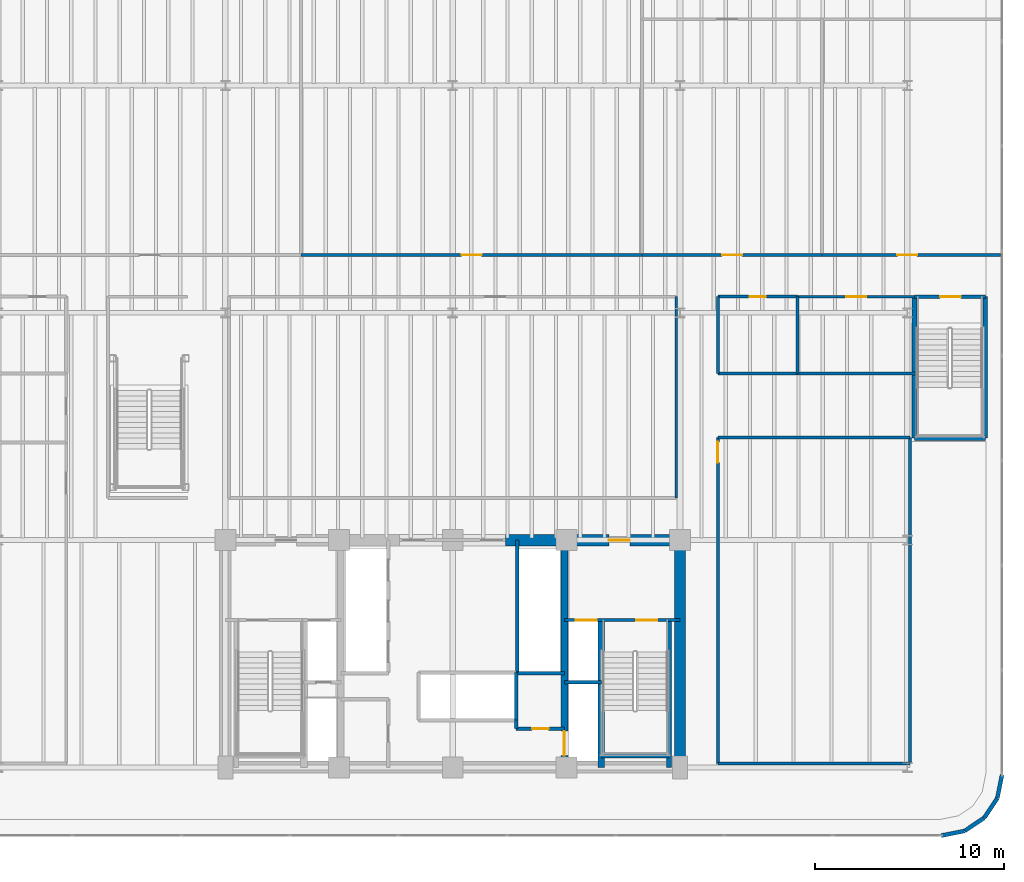
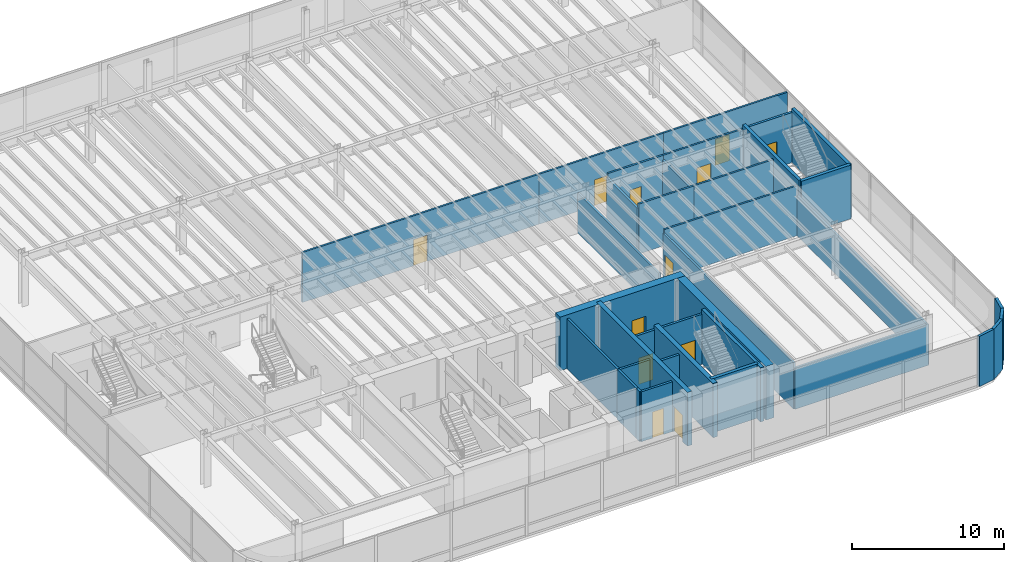
# One storey, part 14 of 19: 35 walls, 12 doors, 12 openings.
"""IFC4 building model written with IfcOpenShell, lengths in metres."""

from ifc_helpers import new_model, si_unit, direction, frame, frame_2d, origin, origin_2d, place, context, subcontext, project, spatial, rectangle, extrude, source, transform, mapped, material, layer, layer_set, type_object, element, fill, save


model = new_model("IFC4")

# Units and contexts
model_context = context("Model", 3, precision=1e-05, world=origin(), true_north=direction((0.0, 1.0)))
body_context = subcontext(model_context, "Body", "Model", "MODEL_VIEW")
ifc_project = project(units=[si_unit("LENGTHUNIT", "METRE"), si_unit("AREAUNIT", "SQUARE_METRE"), si_unit("VOLUMEUNIT", "CUBIC_METRE"), si_unit("PLANEANGLEUNIT", "RADIAN"), si_unit("MASSUNIT", "GRAM", prefix="KILO")], contexts=[model_context])

# Site, building, storey
site_placement = place(None, origin())
site = spatial("IfcSite", under=ifc_project, at=site_placement, CompositionType="ELEMENT")
building_placement = place(site_placement, origin())
building = spatial("IfcBuilding", under=site, at=building_placement, Name="Brelvock Crest Care Tower", CompositionType="ELEMENT")
storey_placement = place(building_placement, frame((0.0, 0.0, 14.0400390625)))
storey = spatial("IfcBuildingStorey", under=building, at=storey_placement, Name="L03", CompositionType="ELEMENT", Elevation=14.0400390625)

# Wall
ifc_material_1 = material(Name="Concrete S80 (80 MPa)", Category="concrete")
ifc_layer_1 = layer(ifc_material_1, 0.60009765625, Name="WL-CS1")
ifc_layer_set_1 = layer_set([ifc_layer_1], Name="Concrete S80 (80 MPa)")
wall_type_1 = type_object("IfcWallType", Name="WL-CS1", PredefinedType="SHEAR", material=ifc_layer_set_1)
wall_1_placement = place(storey_placement, frame((48.0, 18.0, 0.0), z_axis=(0.0, 0.0, 1.0), x_axis=(0.0, -1.0, 0.0)))
element("IfcWall", 1, at=wall_1_placement, inside=storey, type_object=wall_type_1, Name="L03 Core East Shear Wall", PredefinedType="SHEAR", context=body_context, shape_type="SweptSolid", body=[
    extrude(rectangle(XDim=12.0, YDim=0.60009765625, at=frame_2d((6.0, 0.0))), origin(), (0.0, 0.0, 1.0), 4.320068359375),
])

# Wall, opening, door
wall_2_placement = place(storey_placement, frame((38.800048828125, 18.0, 0.0), z_axis=(0.0, 0.0, 1.0), x_axis=(1.0, 0.0, 0.0)))
wall_2 = element("IfcWall", 2, at=wall_2_placement, inside=storey, type_object=wall_type_1, Name="L03 Core North-East Shear Wall", PredefinedType="SHEAR", context=body_context, shape_type="SweptSolid", body=[
    extrude(rectangle(XDim=9.5, YDim=0.60009765625, at=frame_2d((4.75, 0.0))), origin(), (0.0, 0.0, 1.0), 4.320068359375),
])
opening_1_placement = place(wall_2_placement, frame((5.449951171875, 0.0, 0.0)))
opening_1 = element("IfcOpeningElement", 3, at=opening_1_placement, cuts=wall_2, Name="Opening FD-1", PredefinedType="OPENING", context=body_context, shape_type="SweptSolid", body=[
    extrude(rectangle(XDim=1.10009765625, YDim=2.10009765625, at=origin_2d()), frame((0.550048828125, 0.31005859375, 1.050048828125), z_axis=(0.0, -1.0, 0.0), x_axis=(1.0, 0.0, 0.0)), (0.0, 0.0, 1.0), 0.6201171875),
])
ifc_material_2 = material(Name="Steel Grade 350", Category="steel")
door_type_1 = type_object("IfcDoorType", Name="DR-FFL1", OperationType="NOTDEFINED", PredefinedType="DOOR", material=ifc_material_2)
shared_shape_1 = source(origin(), body_context, "Body", "SweptSolid", [
    extrude(rectangle(XDim=1.10009765625, YDim=2.10009765625, at=origin_2d()), frame((0.550048828125, 0.02490234375, 1.050048828125), z_axis=(0.0, -1.0, 0.0), x_axis=(1.0, 0.0, 0.0)), (0.0, 0.0, 1.0), 0.050048828125),
])
door_1_placement = place(opening_1_placement, origin())
door_1 = element("IfcDoor", 4, at=door_1_placement, inside=storey, type_object=door_type_1, Name="L03 Firefighting Lobby FFL-2 Exit Door", OperationType="SINGLE_SWING_RIGHT", OverallHeight=2.10009765625, OverallWidth=1.10009765625, PredefinedType="DOOR", context=body_context, shape_type="MappedRepresentation", body=[
    mapped(shared_shape_1, transform((0.0, 0.0, 0.0), x_axis=(1.0, 0.0, 0.0), y_axis=(0.0, 1.0, 0.0), z_axis=(0.0, 0.0, 1.0), scale=1.0)),
])
fill(opening_1, door_1)

ifc_layer_2 = layer(ifc_material_1, 0.35009765625, Name="WL-CS5")
ifc_layer_set_2 = layer_set([ifc_layer_2], Name="Concrete S80 (80 MPa)")
wall_type_2 = type_object("IfcWallType", Name="WL-CS5", PredefinedType="SHEAR", material=ifc_layer_set_2)
wall_3_placement = place(storey_placement, frame((41.89990234375, 18.0, 0.0), z_axis=(0.0, 0.0, 1.0), x_axis=(0.0, -1.0, 0.0)))
wall_3 = element("IfcWall", 5, at=wall_3_placement, inside=storey, type_object=wall_type_2, Name="L03 Core Internal Web Wall East", PredefinedType="SHEAR", context=body_context, shape_type="SweptSolid", body=[
    extrude(rectangle(XDim=12.0, YDim=0.35009765625, at=frame_2d((6.0, 0.0))), origin(), (0.0, 0.0, 1.0), 4.320068359375),
])
opening_2_placement = place(wall_3_placement, frame((10.080078125, 0.0, 0.0)))
opening_2 = element("IfcOpeningElement", 6, at=opening_2_placement, cuts=wall_3, Name="Opening LD-S", PredefinedType="OPENING", context=body_context, shape_type="SweptSolid", body=[
    extrude(rectangle(XDim=1.300048828125, YDim=2.10009765625, at=origin_2d()), frame((0.64990234375, 0.18505859375, 1.050048828125), z_axis=(0.0, -1.0, 0.0), x_axis=(1.0, 0.0, 0.0)), (0.0, 0.0, 1.0), 0.3701171875),
])
door_type_2 = type_object("IfcDoorType", Name="DR-LDS1", OperationType="NOTDEFINED", PredefinedType="DOOR", material=ifc_material_2)
shared_shape_2 = source(origin(), body_context, "Body", "SweptSolid", [
    extrude(rectangle(XDim=1.300048828125, YDim=2.10009765625, at=origin_2d()), frame((0.64990234375, 0.02490234375, 1.050048828125), z_axis=(0.0, -1.0, 0.0), x_axis=(1.0, 0.0, 0.0)), (0.0, 0.0, 1.0), 0.050048828125),
])
door_2_placement = place(opening_2_placement, origin())
door_2 = element("IfcDoor", 7, at=door_2_placement, inside=storey, type_object=door_type_2, Name="L03 Clinical Bed Lift SL-1 Landing Door", OperationType="SLIDING_TO_LEFT", OverallHeight=2.10009765625, OverallWidth=1.300048828125, PredefinedType="DOOR", context=body_context, shape_type="MappedRepresentation", body=[
    mapped(shared_shape_2, transform((0.0, 0.0, 0.0), x_axis=(1.0, 0.0, 0.0), y_axis=(0.0, 1.0, 0.0), z_axis=(0.0, 0.0, 1.0), scale=1.0)),
])
fill(opening_2, door_2)

# Walls
wall_4_placement = place(storey_placement, frame((43.85009765625, 6.0, 0.0), z_axis=(0.0, 0.0, 1.0), x_axis=(0.0, 1.0, 0.0)))
element("IfcWall", 8, at=wall_4_placement, inside=storey, type_object=wall_type_2, Name="L03 Core Stair ST-2 West Shear Wall", PredefinedType="SHEAR", context=body_context, shape_type="SweptSolid", body=[
    extrude(rectangle(XDim=7.780029296875, YDim=0.35009765625, at=frame_2d((3.89013671875, 0.0))), origin(), (0.0, 0.0, 1.0), 4.35986328125),
])
ifc_layer_3 = layer(ifc_material_1, 0.25, Name="WL-CS6")
ifc_layer_set_3 = layer_set([ifc_layer_3], Name="Concrete S80 (80 MPa)")
wall_type_3 = type_object("IfcWallType", Name="WL-CS6", PredefinedType="SHEAR", material=ifc_layer_set_3)
wall_5_placement = place(storey_placement, frame((60.3798828125, 23.3798828125, 0.0), z_axis=(0.0, 0.0, 1.0), x_axis=(1.0, 0.0, 0.0)))
element("IfcWall", 9, at=wall_5_placement, inside=storey, type_object=wall_type_3, Name="L03 Podium Stair ST-4 South Shear Wall", PredefinedType="SHEAR", context=body_context, shape_type="SweptSolid", body=[
    extrude(rectangle(XDim=3.740234375, YDim=0.25, at=frame_2d((1.8701171875, 0.0))), origin(), (0.0, 0.0, 1.0), 4.320068359375),
])
for number, where, z_axis, x_axis, name in (
    (10, (60.3798828125, 23.3798828125, 0.0), (0.0, 0.0, 1.0), (0.0, 1.0, 0.0), "L03 Podium Stair ST-4 West Shear Wall"),
    (11, (64.1201171875, 23.3798828125, 0.0), (0.0, 0.0, 1.0), (0.0, 1.0, 0.0), "L03 Podium Stair ST-4 East Shear Wall"),
):
    element("IfcWall", number, at=place(storey_placement, frame(where, z_axis=z_axis, x_axis=x_axis)), inside=storey, type_object=wall_type_3, Name=name, PredefinedType="SHEAR", context=body_context, shape_type="SweptSolid", body=[
        extrude(rectangle(XDim=7.47021484375, YDim=0.25, at=frame_2d((3.735107421875, 0.0))), origin(), (0.0, 0.0, 1.0), 4.320068359375),
    ])
wall_6_placement = place(storey_placement, frame((47.419921875, 6.0, 0.0), z_axis=(0.0, 0.0, 1.0), x_axis=(0.0, 1.0, 0.0)))
element("IfcWall", 12, at=wall_6_placement, inside=storey, type_object=wall_type_3, Name="L03 Core Stair ST-2 East Shear Wall", PredefinedType="SHEAR", context=body_context, shape_type="SweptSolid", body=[
    extrude(rectangle(XDim=7.780029296875, YDim=0.25, at=frame_2d((3.89013671875, 0.0))), origin(), (0.0, 0.0, 1.0), 4.35986328125),
])
wall_7_placement = place(storey_placement, frame((43.85009765625, 6.6201171875, 0.0), z_axis=(0.0, 0.0, 1.0), x_axis=(1.0, 0.0, 0.0)))
element("IfcWall", 13, at=wall_7_placement, inside=storey, type_object=wall_type_3, Name="L03 Core Stair ST-2 South Shear Wall", PredefinedType="SHEAR", context=body_context, shape_type="SweptSolid", body=[
    extrude(rectangle(XDim=3.56982421875, YDim=0.25, at=frame_2d((1.784912109375, 0.0))), origin(), (0.0, 0.0, 1.0), 4.35986328125),
])
ifc_material_3 = material(Name="Precast concrete N40 (40 MPa)", Category="concrete")
ifc_layer_4 = layer(ifc_material_3, 0.215087890625, Name="WL-EX2")
ifc_layer_set_4 = layer_set([ifc_layer_4], Name="Precast concrete N40 (40 MPa)")
wall_type_4 = type_object("IfcWallType", Name="WL-EX2", PredefinedType="SOLIDWALL", material=ifc_layer_set_4)
for number, where, z_axis, x_axis, name in (
    (14, (65.0, 5.60009765625, 0.0), (0.0, 0.0, 1.0), (-0.195138390419, -0.980775717779, 0.0), "L03 Rounded Corner Wall 15"),
    (15, (64.75634765625, 4.37548828125, 0.0), (0.0, 0.0, 1.0), (-0.555557312883, -0.831478245117, 0.0), "L03 Rounded Corner Wall 16"),
    (16, (64.062744140625, 3.33740234375, 0.0), (0.0, 0.0, 1.0), (-0.831387912822, -0.555692485475, 0.0), "L03 Rounded Corner Wall 17"),
    (17, (63.024658203125, 2.6435546875, 0.0), (0.0, 0.0, 1.0), (-0.980775717779, -0.195138390419, 0.0), "L03 Rounded Corner Wall 18"),
):
    element("IfcWall", number, at=place(storey_placement, frame(where, z_axis=z_axis, x_axis=x_axis)), inside=storey, type_object=wall_type_4, Name=name, PredefinedType="SOLIDWALL", context=body_context, shape_type="SweptSolid", body=[
        extrude(rectangle(XDim=1.24853515625, YDim=0.215087890625, at=frame_2d((0.624267578125, 0.0))), origin(), (0.0, 0.0, 1.0), 4.0400390625),
    ])
ifc_material_4 = material(Name="Masonry Blockwork Acoustic Partition", Category="masonry")
ifc_layer_5 = layer(ifc_material_4, 0.14990234375, Name="WL-INT1")
ifc_layer_set_5 = layer_set([ifc_layer_5], Name="Masonry Blockwork Acoustic Partition")
wall_type_5 = type_object("IfcWallType", Name="WL-INT1", PredefinedType="PARTITIONING", material=ifc_layer_set_5)
wall_8_placement = place(storey_placement, frame((50.0, 6.199951171875, 0.0), z_axis=(0.0, 0.0, 1.0), x_axis=(1.0, 0.0, 0.0)))
element("IfcWall", 18, at=wall_8_placement, inside=storey, type_object=wall_type_5, Name="L03 Interior Wall WL-BX-L03-KIT-S", PredefinedType="PARTITIONING", context=body_context, shape_type="SweptSolid", body=[
    extrude(rectangle(XDim=10.14990234375, YDim=0.14990234375, at=frame_2d((5.074951171875, 0.0))), origin(), (0.0, 0.0, 1.0), 3.324951171875),
])
wall_9_placement = place(storey_placement, frame((50.0, 23.409912109375, 0.0), z_axis=(0.0, 0.0, 1.0), x_axis=(1.0, 0.0, 0.0)))
element("IfcWall", 19, at=wall_9_placement, inside=storey, type_object=wall_type_5, Name="L03 Interior Wall WL-BX-L03-KIT-N", PredefinedType="PARTITIONING", context=body_context, shape_type="SweptSolid", body=[
    extrude(rectangle(XDim=10.14990234375, YDim=0.14990234375, at=frame_2d((5.074951171875, 0.0))), origin(), (0.0, 0.0, 1.0), 4.010009765625),
])
wall_10_placement = place(storey_placement, frame((54.199951171875, 26.800048828125, 0.0), z_axis=(0.0, 0.0, 1.0), x_axis=(1.0, 0.0, 0.0)))
element("IfcWall", 20, at=wall_10_placement, inside=storey, type_object=wall_type_5, Name="L03 Interior Wall WL-BX-L03-OFFW-S", PredefinedType="PARTITIONING", context=body_context, shape_type="SweptSolid", body=[
    extrude(rectangle(XDim=6.25, YDim=0.14990234375, at=frame_2d((3.125, 0.0))), origin(), (0.0, 0.0, 1.0), 4.010009765625),
])

# Wall, opening, door
wall_11_placement = place(storey_placement, frame((54.199951171875, 30.85009765625, 0.0), z_axis=(0.0, 0.0, 1.0), x_axis=(1.0, 0.0, 0.0)))
wall_11 = element("IfcWall", 21, at=wall_11_placement, inside=storey, type_object=wall_type_5, Name="L03 Interior Wall WL-RM-L03-OFFW", PredefinedType="PARTITIONING", context=body_context, shape_type="SweptSolid", body=[
    extrude(rectangle(XDim=6.25, YDim=0.14990234375, at=frame_2d((3.125, 0.0))), origin(), (0.0, 0.0, 1.0), 4.010009765625),
])
opening_3_placement = place(wall_11_placement, frame((2.574951171875, 0.0, 0.0)))
opening_3 = element("IfcOpeningElement", 22, at=opening_3_placement, cuts=wall_11, Name="Opening CLD-1", PredefinedType="OPENING", context=body_context, shape_type="SweptSolid", body=[
    extrude(rectangle(XDim=1.050048828125, YDim=2.10009765625, at=origin_2d()), frame((0.52490234375, 0.0849609375, 1.050048828125), z_axis=(0.0, -1.0, 0.0), x_axis=(1.0, 0.0, 0.0)), (0.0, 0.0, 1.0), 0.169921875),
])
ifc_material_5 = material(Name="Engineered Hardwood Timber", Category="wood")
door_type_3 = type_object("IfcDoorType", Name="DR-CLN1", OperationType="NOTDEFINED", PredefinedType="DOOR", material=ifc_material_5)
shared_shape_3 = source(origin(), body_context, "Body", "SweptSolid", [
    extrude(rectangle(XDim=1.050048828125, YDim=2.10009765625, at=origin_2d()), frame((0.52490234375, 0.02490234375, 1.050048828125), z_axis=(0.0, -1.0, 0.0), x_axis=(1.0, 0.0, 0.0)), (0.0, 0.0, 1.0), 0.050048828125),
])
door_3_placement = place(opening_3_placement, origin())
door_3 = element("IfcDoor", 23, at=door_3_placement, inside=storey, type_object=door_type_3, Name="L03 Hydrotherapy Therapist Office Door OFFW", OperationType="SINGLE_SWING_LEFT", OverallHeight=2.10009765625, OverallWidth=1.050048828125, PredefinedType="DOOR", context=body_context, shape_type="MappedRepresentation", body=[
    mapped(shared_shape_3, transform((0.0, 0.0, 0.0), x_axis=(1.0, 0.0, 0.0), y_axis=(0.0, 1.0, 0.0), z_axis=(0.0, 0.0, 1.0), scale=1.0)),
])
fill(opening_3, door_3)

wall_12_placement = place(storey_placement, frame((28.0, 33.050048828125, 0.0), z_axis=(0.0, 0.0, 1.0), x_axis=(1.0, 0.0, 0.0)))
wall_12 = element("IfcWall", 24, at=wall_12_placement, inside=storey, type_object=wall_type_5, Name="L03 Interior Wall WL-RM-L03-GYM", PredefinedType="PARTITIONING", context=body_context, shape_type="SweptSolid", body=[
    extrude(rectangle(XDim=18.0, YDim=0.14990234375, at=frame_2d((9.0, 0.0))), origin(), (0.0, 0.0, 1.0), 4.010009765625),
])
opening_4_placement = place(wall_12_placement, frame((8.47509765625, 0.0, 0.0)))
opening_4 = element("IfcOpeningElement", 25, at=opening_4_placement, cuts=wall_12, Name="Opening CLD-1", PredefinedType="OPENING", context=body_context, shape_type="SweptSolid", body=[
    extrude(rectangle(XDim=1.050048828125, YDim=2.10009765625, at=origin_2d()), frame((0.52490234375, 0.0849609375, 1.050048828125), z_axis=(0.0, -1.0, 0.0), x_axis=(1.0, 0.0, 0.0)), (0.0, 0.0, 1.0), 0.169921875),
])
door_4_placement = place(opening_4_placement, origin())
door_4 = element("IfcDoor", 26, at=door_4_placement, inside=storey, type_object=door_type_3, Name="L03 Gait and Balance Rehab Gym Door GYM", OperationType="SINGLE_SWING_LEFT", OverallHeight=2.10009765625, OverallWidth=1.050048828125, PredefinedType="DOOR", context=body_context, shape_type="MappedRepresentation", body=[
    mapped(shared_shape_3, transform((0.0, 0.0, 0.0), x_axis=(1.0, 0.0, 0.0), y_axis=(0.0, 1.0, 0.0), z_axis=(0.0, 0.0, 1.0), scale=1.0)),
])
fill(opening_4, door_4)

wall_13_placement = place(storey_placement, frame((46.0, 33.050048828125, 0.0), z_axis=(0.0, 0.0, 1.0), x_axis=(1.0, 0.0, 0.0)))
wall_13 = element("IfcWall", 27, at=wall_13_placement, inside=storey, type_object=wall_type_5, Name="L03 Interior Wall WL-RM-L03-OCC1", PredefinedType="PARTITIONING", context=body_context, shape_type="SweptSolid", body=[
    extrude(rectangle(XDim=9.5, YDim=0.14990234375, at=frame_2d((4.75, 0.0))), origin(), (0.0, 0.0, 1.0), 4.010009765625),
])
opening_5_placement = place(wall_13_placement, frame((4.22509765625, 0.0, 0.0)))
opening_5 = element("IfcOpeningElement", 28, at=opening_5_placement, cuts=wall_13, Name="Opening CLD-1", PredefinedType="OPENING", context=body_context, shape_type="SweptSolid", body=[
    extrude(rectangle(XDim=1.050048828125, YDim=2.10009765625, at=origin_2d()), frame((0.52490234375, 0.0849609375, 1.050048828125), z_axis=(0.0, -1.0, 0.0), x_axis=(1.0, 0.0, 0.0)), (0.0, 0.0, 1.0), 0.169921875),
])
door_5_placement = place(opening_5_placement, origin())
door_5 = element("IfcDoor", 29, at=door_5_placement, inside=storey, type_object=door_type_3, Name="L03 Occupational Living Lab South Door OCC1", OperationType="SINGLE_SWING_LEFT", OverallHeight=2.10009765625, OverallWidth=1.050048828125, PredefinedType="DOOR", context=body_context, shape_type="MappedRepresentation", body=[
    mapped(shared_shape_3, transform((0.0, 0.0, 0.0), x_axis=(1.0, 0.0, 0.0), y_axis=(0.0, 1.0, 0.0), z_axis=(0.0, 0.0, 1.0), scale=1.0)),
])
fill(opening_5, door_5)

wall_14_placement = place(storey_placement, frame((55.5, 33.050048828125, 0.0), z_axis=(0.0, 0.0, 1.0), x_axis=(1.0, 0.0, 0.0)))
wall_14 = element("IfcWall", 30, at=wall_14_placement, inside=storey, type_object=wall_type_5, Name="L03 Interior Wall WL-RM-L03-OCC2", PredefinedType="PARTITIONING", context=body_context, shape_type="SweptSolid", body=[
    extrude(rectangle(XDim=9.419921875, YDim=0.14990234375, at=frame_2d((4.7099609375, 0.0))), origin(), (0.0, 0.0, 1.0), 4.010009765625),
])
opening_6_placement = place(wall_14_placement, frame((3.97509765625, 0.0, 0.0)))
opening_6 = element("IfcOpeningElement", 31, at=opening_6_placement, cuts=wall_14, Name="Opening CLD-1", PredefinedType="OPENING", context=body_context, shape_type="SweptSolid", body=[
    extrude(rectangle(XDim=1.050048828125, YDim=2.10009765625, at=origin_2d()), frame((0.52490234375, 0.0849609375, 1.050048828125), z_axis=(0.0, -1.0, 0.0), x_axis=(1.0, 0.0, 0.0)), (0.0, 0.0, 1.0), 0.169921875),
])
door_6_placement = place(opening_6_placement, origin())
door_6 = element("IfcDoor", 32, at=door_6_placement, inside=storey, type_object=door_type_3, Name="L03 Assistive Technology Clinic Door OCC2", OperationType="SINGLE_SWING_LEFT", OverallHeight=2.10009765625, OverallWidth=1.050048828125, PredefinedType="DOOR", context=body_context, shape_type="MappedRepresentation", body=[
    mapped(shared_shape_3, transform((0.0, 0.0, 0.0), x_axis=(1.0, 0.0, 0.0), y_axis=(0.0, 1.0, 0.0), z_axis=(0.0, 0.0, 1.0), scale=1.0)),
])
fill(opening_6, door_6)

# Wall
wall_15_placement = place(storey_placement, frame((47.800048828125, 20.219970703125, 0.0), z_axis=(0.0, 0.0, 1.0), x_axis=(0.0, 1.0, 0.0)))
element("IfcWall", 33, at=wall_15_placement, inside=storey, type_object=wall_type_5, Name="L03 Interior Wall WL-BX-L03-DIN-E", PredefinedType="PARTITIONING", context=body_context, shape_type="SweptSolid", body=[
    extrude(rectangle(XDim=10.630126953125, YDim=0.14990234375, at=frame_2d((5.31494140625, 0.0))), origin(), (0.0, 0.0, 1.0), 3.224853515625),
])

# Wall, opening, door
wall_16_placement = place(storey_placement, frame((50.0, 6.199951171875, 0.0), z_axis=(0.0, 0.0, 1.0), x_axis=(0.0, 1.0, 0.0)))
wall_16 = element("IfcWall", 34, at=wall_16_placement, inside=storey, type_object=wall_type_5, Name="L03 Interior Wall WL-RM-L03-KIT", PredefinedType="PARTITIONING", context=body_context, shape_type="SweptSolid", body=[
    extrude(rectangle(XDim=17.2099609375, YDim=0.14990234375, at=frame_2d((8.60498046875, 0.0))), origin(), (0.0, 0.0, 1.0), 3.718017578125),
])
opening_7_placement = place(wall_16_placement, frame((15.889892578125, 0.0, 0.0)))
opening_7 = element("IfcOpeningElement", 35, at=opening_7_placement, cuts=wall_16, Name="Opening PD-1", PredefinedType="OPENING", context=body_context, shape_type="SweptSolid", body=[
    extrude(rectangle(XDim=1.10009765625, YDim=2.10009765625, at=origin_2d()), frame((0.550048828125, 0.0849609375, 1.050048828125), z_axis=(0.0, -1.0, 0.0), x_axis=(1.0, 0.0, 0.0)), (0.0, 0.0, 1.0), 0.169921875),
])
door_type_4 = type_object("IfcDoorType", Name="DR-PLT1", OperationType="NOTDEFINED", PredefinedType="DOOR", material=ifc_material_2)
shared_shape_4 = source(origin(), body_context, "Body", "SweptSolid", [
    extrude(rectangle(XDim=1.10009765625, YDim=2.10009765625, at=origin_2d()), frame((0.550048828125, 0.02490234375, 1.050048828125), z_axis=(0.0, -1.0, 0.0), x_axis=(1.0, 0.0, 0.0)), (0.0, 0.0, 1.0), 0.050048828125),
])
door_7_placement = place(opening_7_placement, origin())
door_7 = element("IfcDoor", 36, at=door_7_placement, inside=storey, type_object=door_type_4, Name="L03 Central Catering Production Door KIT", OperationType="SINGLE_SWING_LEFT", OverallHeight=2.10009765625, OverallWidth=1.10009765625, PredefinedType="DOOR", context=body_context, shape_type="MappedRepresentation", body=[
    mapped(shared_shape_4, transform((0.0, 0.0, 0.0), x_axis=(1.0, 0.0, 0.0), y_axis=(0.0, 1.0, 0.0), z_axis=(0.0, 0.0, 1.0), scale=1.0)),
])
fill(opening_7, door_7)

# Walls
wall_17_placement = place(storey_placement, frame((60.14990234375, 6.199951171875, 0.0), z_axis=(0.0, 0.0, 1.0), x_axis=(0.0, 1.0, 0.0)))
element("IfcWall", 37, at=wall_17_placement, inside=storey, type_object=wall_type_5, Name="L03 Interior Wall WL-BX-L03-KIT-E", PredefinedType="PARTITIONING", context=body_context, shape_type="SweptSolid", body=[
    extrude(rectangle(XDim=17.2099609375, YDim=0.14990234375, at=frame_2d((8.60498046875, 0.0))), origin(), (0.0, 0.0, 1.0), 3.224853515625),
])
ifc_material_6 = material(Name="Gypsum Plasterboard Partition", Category="gypsum")
ifc_layer_6 = layer(ifc_material_6, 0.159912109375, Name="WL-PLM1")
ifc_layer_set_6 = layer_set([ifc_layer_6], Name="Gypsum Plasterboard Partition")
wall_type_6 = type_object("IfcWallType", Name="WL-PLM1", PredefinedType="PLUMBINGWALL", material=ifc_layer_set_6)
wall_18_placement = place(storey_placement, frame((50.0, 26.800048828125, 0.0), z_axis=(0.0, 0.0, 1.0), x_axis=(1.0, 0.0, 0.0)))
element("IfcWall", 38, at=wall_18_placement, inside=storey, type_object=wall_type_6, Name="L03 Interior Wall WL-BX-L03-SWC-S", PredefinedType="PLUMBINGWALL", context=body_context, shape_type="SweptSolid", body=[
    extrude(rectangle(XDim=4.199951171875, YDim=0.159912109375, at=frame_2d((2.10009765625, 0.0))), origin(), (0.0, 0.0, 1.0), 4.010009765625),
])

# Wall, opening, door
wall_19_placement = place(storey_placement, frame((50.0, 30.85009765625, 0.0), z_axis=(0.0, 0.0, 1.0), x_axis=(1.0, 0.0, 0.0)))
wall_19 = element("IfcWall", 39, at=wall_19_placement, inside=storey, type_object=wall_type_6, Name="L03 Interior Wall WL-RM-L03-SWC", PredefinedType="PLUMBINGWALL", context=body_context, shape_type="SweptSolid", body=[
    extrude(rectangle(XDim=4.199951171875, YDim=0.159912109375, at=frame_2d((2.10009765625, 0.0))), origin(), (0.0, 0.0, 1.0), 4.010009765625),
])
opening_8_placement = place(wall_19_placement, frame((1.669921875, 0.0, 0.0)))
opening_8 = element("IfcOpeningElement", 40, at=opening_8_placement, cuts=wall_19, Name="Opening WD-1", PredefinedType="OPENING", context=body_context, shape_type="SweptSolid", body=[
    extrude(rectangle(XDim=0.860107421875, YDim=2.10009765625, at=origin_2d()), frame((0.43017578125, 0.08984375, 1.050048828125), z_axis=(0.0, -1.0, 0.0), x_axis=(1.0, 0.0, 0.0)), (0.0, 0.0, 1.0), 0.179931640625),
])
door_type_5 = type_object("IfcDoorType", Name="DR-WC1", OperationType="NOTDEFINED", PredefinedType="DOOR", material=ifc_material_5)
shared_shape_5 = source(origin(), body_context, "Body", "SweptSolid", [
    extrude(rectangle(XDim=0.860107421875, YDim=2.10009765625, at=origin_2d()), frame((0.43017578125, 0.02490234375, 1.050048828125), z_axis=(0.0, -1.0, 0.0), x_axis=(1.0, 0.0, 0.0)), (0.0, 0.0, 1.0), 0.050048828125),
])
door_8_placement = place(opening_8_placement, origin())
door_8 = element("IfcDoor", 41, at=door_8_placement, inside=storey, type_object=door_type_5, Name="L03 Wellness Accessible WC Door SWC", OperationType="SINGLE_SWING_LEFT", OverallHeight=2.10009765625, OverallWidth=0.860107421875, PredefinedType="DOOR", context=body_context, shape_type="MappedRepresentation", body=[
    mapped(shared_shape_5, transform((0.0, 0.0, 0.0), x_axis=(1.0, 0.0, 0.0), y_axis=(0.0, 1.0, 0.0), z_axis=(0.0, 0.0, 1.0), scale=1.0)),
])
fill(opening_8, door_8)

# Walls
for number, where, z_axis, x_axis, name in (
    (42, (50.0, 26.800048828125, 0.0), (0.0, 0.0, 1.0), (0.0, 1.0, 0.0), "L03 Interior Wall WL-BX-L03-SWC-W"),
    (43, (54.199951171875, 26.800048828125, 0.0), (0.0, 0.0, 1.0), (0.0, 1.0, 0.0), "L03 Interior Wall WL-BX-L03-OFFW-W"),
):
    element("IfcWall", number, at=place(storey_placement, frame(where, z_axis=z_axis, x_axis=x_axis)), inside=storey, type_object=wall_type_6, Name=name, PredefinedType="PLUMBINGWALL", context=body_context, shape_type="SweptSolid", body=[
        extrude(rectangle(XDim=4.050048828125, YDim=0.159912109375, at=frame_2d((2.02490234375, 0.0))), origin(), (0.0, 0.0, 1.0), 3.666015625),
    ])

# Wall, opening, door
ifc_layer_7 = layer(ifc_material_4, 0.179931640625, Name="WL-SHF1")
ifc_layer_set_7 = layer_set([ifc_layer_7], Name="Masonry Blockwork Acoustic Partition")
wall_type_7 = type_object("IfcWallType", Name="WL-SHF1", PredefinedType="PARTITIONING", material=ifc_layer_set_7)
wall_20_placement = place(storey_placement, frame((60.3798828125, 30.85009765625, 0.0), z_axis=(0.0, 0.0, 1.0), x_axis=(1.0, 0.0, 0.0)))
wall_20 = element("IfcWall", 44, at=wall_20_placement, inside=storey, type_object=wall_type_7, Name="L03 Interior Wall WL-ST4-N-L03", PredefinedType="PARTITIONING", context=body_context, shape_type="SweptSolid", body=[
    extrude(rectangle(XDim=3.740234375, YDim=0.179931640625, at=frame_2d((1.8701171875, 0.0))), origin(), (0.0, 0.0, 1.0), 4.0400390625),
])
opening_9_placement = place(wall_20_placement, frame((1.35009765625, 0.0, 0.0)))
opening_9 = element("IfcOpeningElement", 45, at=opening_9_placement, cuts=wall_20, Name="Opening SD-1", PredefinedType="OPENING", context=body_context, shape_type="SweptSolid", body=[
    extrude(rectangle(XDim=1.10009765625, YDim=2.10009765625, at=origin_2d()), frame((0.550048828125, 0.10009765625, 1.050048828125), z_axis=(0.0, -1.0, 0.0), x_axis=(1.0, 0.0, 0.0)), (0.0, 0.0, 1.0), 0.199951171875),
])
door_type_6 = type_object("IfcDoorType", Name="DR-ST1", OperationType="NOTDEFINED", PredefinedType="DOOR", material=ifc_material_2)
shared_shape_6 = source(origin(), body_context, "Body", "SweptSolid", [
    extrude(rectangle(XDim=1.10009765625, YDim=2.10009765625, at=origin_2d()), frame((0.550048828125, 0.02490234375, 1.050048828125), z_axis=(0.0, -1.0, 0.0), x_axis=(1.0, 0.0, 0.0)), (0.0, 0.0, 1.0), 0.050048828125),
])
door_9_placement = place(opening_9_placement, origin())
door_9 = element("IfcDoor", 46, at=door_9_placement, inside=storey, type_object=door_type_6, Name="L03 Podium Stair ST-4 Door", OperationType="SINGLE_SWING_RIGHT", OverallHeight=2.10009765625, OverallWidth=1.10009765625, PredefinedType="DOOR", context=body_context, shape_type="MappedRepresentation", body=[
    mapped(shared_shape_6, transform((0.0, 0.0, 0.0), x_axis=(1.0, 0.0, 0.0), y_axis=(0.0, 1.0, 0.0), z_axis=(0.0, 0.0, 1.0), scale=1.0)),
])
fill(opening_9, door_9)

# Walls
wall_21_placement = place(storey_placement, frame((39.35009765625, 8.5, 0.0), z_axis=(0.0, 0.0, 1.0), x_axis=(0.0, 1.0, 0.0)))
element("IfcWall", 47, at=wall_21_placement, inside=storey, type_object=wall_type_7, Name="L03 Interior Wall WL-PLM-E-L03", PredefinedType="PARTITIONING", context=body_context, shape_type="SweptSolid", body=[
    extrude(rectangle(XDim=2.5, YDim=0.179931640625, at=frame_2d((1.25, 0.0))), origin(), (0.0, 0.0, 1.0), 4.010009765625),
])
wall_22_placement = place(storey_placement, frame((39.39990234375, 11.0, 0.0), z_axis=(0.0, 0.0, 1.0), x_axis=(0.0, 1.0, 0.0)))
element("IfcWall", 48, at=wall_22_placement, inside=storey, type_object=wall_type_7, Name="L03 Interior Wall WL-PLH-SHF-L03", PredefinedType="PARTITIONING", context=body_context, shape_type="SweptSolid", body=[
    extrude(rectangle(XDim=7.0, YDim=0.179931640625, at=frame_2d((3.5, 0.0))), origin(), (0.0, 0.0, 1.0), 4.010009765625),
])
wall_23_placement = place(storey_placement, frame((39.35009765625, 10.97998046875, 0.0), z_axis=(0.0, 0.0, 1.0), x_axis=(1.0, 0.0, 0.0)))
element("IfcWall", 49, at=wall_23_placement, inside=storey, type_object=wall_type_7, Name="L03 Interior Wall WL-CSBE-N-L03", PredefinedType="PARTITIONING", context=body_context, shape_type="SweptSolid", body=[
    extrude(rectangle(XDim=2.5498046875, YDim=0.179931640625, at=frame_2d((1.27490234375, 0.0))), origin(), (0.0, 0.0, 1.0), 4.010009765625),
])
wall_24_placement = place(storey_placement, frame((39.35009765625, 8.050048828125, 0.0), z_axis=(0.0, 0.0, 1.0), x_axis=(0.0, 1.0, 0.0)))
element("IfcWall", 50, at=wall_24_placement, inside=storey, type_object=wall_type_7, Name="L03 Interior Wall WL-CSBE-W-L03", PredefinedType="PARTITIONING", context=body_context, shape_type="SweptSolid", body=[
    extrude(rectangle(XDim=0.449951171875, YDim=0.179931640625, at=frame_2d((0.22509765625, 0.0))), origin(), (0.0, 0.0, 1.0), 4.010009765625),
])

# Wall, opening, door
wall_25_placement = place(storey_placement, frame((39.35009765625, 8.050048828125, 0.0), z_axis=(0.0, 0.0, 1.0), x_axis=(1.0, 0.0, 0.0)))
wall_25 = element("IfcWall", 51, at=wall_25_placement, inside=storey, type_object=wall_type_7, Name="L03 Interior Wall WL-CSBE-S-L03", PredefinedType="PARTITIONING", context=body_context, shape_type="SweptSolid", body=[
    extrude(rectangle(XDim=2.5498046875, YDim=0.179931640625, at=frame_2d((1.27490234375, 0.0))), origin(), (0.0, 0.0, 1.0), 4.010009765625),
])
opening_10_placement = place(wall_25_placement, frame((0.85009765625, 0.0, 0.0)))
opening_10 = element("IfcOpeningElement", 52, at=opening_10_placement, cuts=wall_25, Name="Opening ID-1", PredefinedType="OPENING", context=body_context, shape_type="SweptSolid", body=[
    extrude(rectangle(XDim=0.860107421875, YDim=2.10009765625, at=origin_2d()), frame((0.43017578125, 0.10009765625, 1.050048828125), z_axis=(0.0, -1.0, 0.0), x_axis=(1.0, 0.0, 0.0)), (0.0, 0.0, 1.0), 0.199951171875),
])
door_type_7 = type_object("IfcDoorType", Name="DR-INT1", OperationType="NOTDEFINED", PredefinedType="DOOR", material=ifc_material_5)
shared_shape_7 = source(origin(), body_context, "Body", "SweptSolid", [
    extrude(rectangle(XDim=0.860107421875, YDim=2.10009765625, at=origin_2d()), frame((0.43017578125, 0.02490234375, 1.050048828125), z_axis=(0.0, -1.0, 0.0), x_axis=(1.0, 0.0, 0.0)), (0.0, 0.0, 1.0), 0.050048828125),
])
door_10_placement = place(opening_10_placement, origin())
door_10 = element("IfcDoor", 53, at=door_10_placement, inside=storey, type_object=door_type_7, Name="DR-CSBE-L03", OperationType="SINGLE_SWING_LEFT", OverallHeight=2.10009765625, OverallWidth=0.860107421875, PredefinedType="DOOR", context=body_context, shape_type="MappedRepresentation", body=[
    mapped(shared_shape_7, transform((0.0, 0.0, 0.0), x_axis=(1.0, 0.0, 0.0), y_axis=(0.0, 1.0, 0.0), z_axis=(0.0, 0.0, 1.0), scale=1.0)),
])
fill(opening_10, door_10)

# Wall, openings, doors
wall_26_placement = place(storey_placement, frame((41.89990234375, 13.780029296875, 0.0), z_axis=(0.0, 0.0, 1.0), x_axis=(1.0, 0.0, 0.0)))
wall_26 = element("IfcWall", 54, at=wall_26_placement, inside=storey, type_object=wall_type_7, Name="L03 Interior Wall WL-ST2-N-L03", PredefinedType="PARTITIONING", context=body_context, shape_type="SweptSolid", body=[
    extrude(rectangle(XDim=6.10009765625, YDim=0.179931640625, at=frame_2d((3.050048828125, 0.0))), origin(), (0.0, 0.0, 1.0), 4.010009765625),
])
opening_11_placement = place(wall_26_placement, frame((0.60009765625, 0.0, 0.0)))
opening_11 = element("IfcOpeningElement", 55, at=opening_11_placement, cuts=wall_26, Name="Opening LD", PredefinedType="OPENING", context=body_context, shape_type="SweptSolid", body=[
    extrude(rectangle(XDim=1.10009765625, YDim=2.10009765625, at=origin_2d()), frame((0.550048828125, 0.10009765625, 1.050048828125), z_axis=(0.0, -1.0, 0.0), x_axis=(1.0, 0.0, 0.0)), (0.0, 0.0, 1.0), 0.199951171875),
])
opening_12_placement = place(wall_26_placement, frame((3.800048828125, 0.0, 0.0)))
opening_12 = element("IfcOpeningElement", 56, at=opening_12_placement, cuts=wall_26, Name="Opening SD-1", PredefinedType="OPENING", context=body_context, shape_type="SweptSolid", body=[
    extrude(rectangle(XDim=1.10009765625, YDim=2.10009765625, at=origin_2d()), frame((0.550048828125, 0.10009765625, 1.050048828125), z_axis=(0.0, -1.0, 0.0), x_axis=(1.0, 0.0, 0.0)), (0.0, 0.0, 1.0), 0.199951171875),
])
door_11_placement = place(opening_12_placement, origin())
door_11 = element("IfcDoor", 57, at=door_11_placement, inside=storey, type_object=door_type_6, Name="L03 Fire Stair ST-2 Door", OperationType="SINGLE_SWING_RIGHT", OverallHeight=2.10009765625, OverallWidth=1.10009765625, PredefinedType="DOOR", context=body_context, shape_type="MappedRepresentation", body=[
    mapped(shared_shape_6, transform((0.0, 0.0, 0.0), x_axis=(1.0, 0.0, 0.0), y_axis=(0.0, 1.0, 0.0), z_axis=(0.0, 0.0, 1.0), scale=1.0)),
])
fill(opening_12, door_11)
door_type_8 = type_object("IfcDoorType", Name="DR-LD1", OperationType="NOTDEFINED", PredefinedType="DOOR", material=ifc_material_2)
shared_shape_8 = source(origin(), body_context, "Body", "SweptSolid", [
    extrude(rectangle(XDim=1.10009765625, YDim=2.10009765625, at=origin_2d()), frame((0.550048828125, 0.02490234375, 1.050048828125), z_axis=(0.0, -1.0, 0.0), x_axis=(1.0, 0.0, 0.0)), (0.0, 0.0, 1.0), 0.050048828125),
])
door_12_placement = place(opening_11_placement, origin())
door_12 = element("IfcDoor", 58, at=door_12_placement, inside=storey, type_object=door_type_8, Name="L03 Firefighting Lift FFL-2 Landing Door", OperationType="SLIDING_TO_RIGHT", OverallHeight=2.10009765625, OverallWidth=1.10009765625, PredefinedType="DOOR", context=body_context, shape_type="MappedRepresentation", body=[
    mapped(shared_shape_8, transform((0.0, 0.0, 0.0), x_axis=(1.0, 0.0, 0.0), y_axis=(0.0, 1.0, 0.0), z_axis=(0.0, 0.0, 1.0), scale=1.0)),
])
fill(opening_11, door_12)

# Wall
wall_27_placement = place(storey_placement, frame((41.89990234375, 10.5, 0.0), z_axis=(0.0, 0.0, 1.0), x_axis=(1.0, 0.0, 0.0)))
element("IfcWall", 59, at=wall_27_placement, inside=storey, type_object=wall_type_7, Name="L03 Interior Wall WL-FFH2-S-L03", PredefinedType="PARTITIONING", context=body_context, shape_type="SweptSolid", body=[
    extrude(rectangle(XDim=1.9501953125, YDim=0.179931640625, at=frame_2d((0.97509765625, 0.0))), origin(), (0.0, 0.0, 1.0), 4.010009765625),
])

save(model, "model.ifc")
